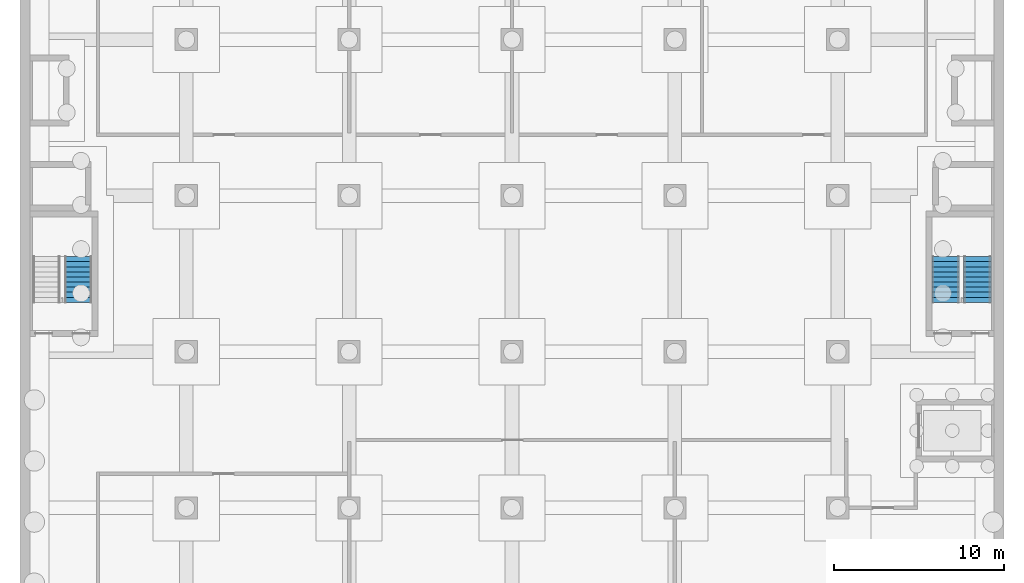
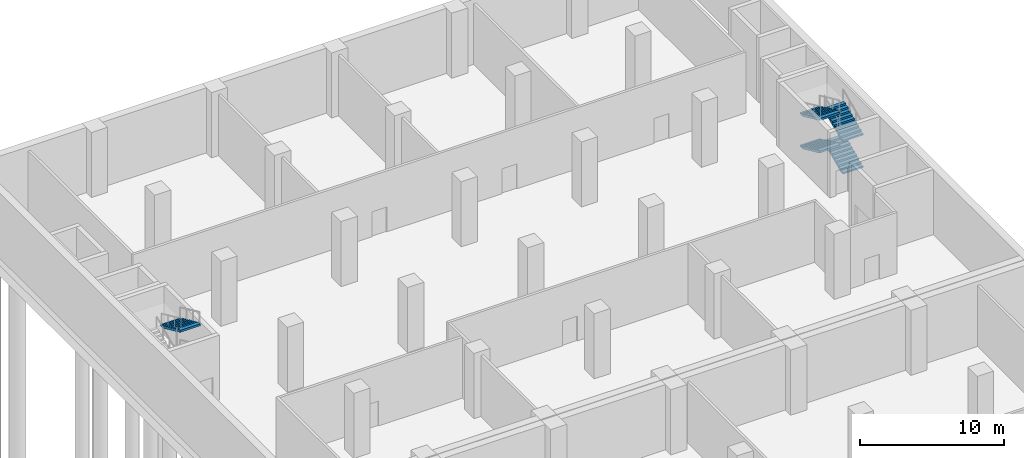
# One storey, part 15 of 33: 5 stair flights, 2 elements without a shape of their own.
"""IFC4 building model written with IfcOpenShell, lengths in metres."""

from ifc_helpers import new_model, si_unit, direction, frame, origin, place, context, subcontext, project, spatial, polyline, outline, extrude, material, type_object, element, aggregate, save


model = new_model("IFC4")

# Units and contexts
model_context = context("Model", 3, precision=1e-05, world=origin(), true_north=direction((0.0, 1.0)))
body_context = subcontext(model_context, "Body", "Model", "MODEL_VIEW")
ifc_project = project(units=[si_unit("LENGTHUNIT", "METRE"), si_unit("AREAUNIT", "SQUARE_METRE"), si_unit("VOLUMEUNIT", "CUBIC_METRE"), si_unit("PLANEANGLEUNIT", "RADIAN"), si_unit("MASSUNIT", "GRAM", prefix="KILO")], contexts=[model_context])

# Site, building, storey
site_placement = place(None, origin())
site = spatial("IfcSite", under=ifc_project, at=site_placement, CompositionType="ELEMENT")
building_placement = place(site_placement, origin())
building = spatial("IfcBuilding", under=site, at=building_placement, Name="Nzadi Deep Aquarium and Research Tower", CompositionType="ELEMENT")
storey_placement = place(building_placement, frame((0.0, 0.0, -5.5)))
storey = spatial("IfcBuildingStorey", under=building, at=storey_placement, Name="B1", CompositionType="ELEMENT", Elevation=-5.5)

# Stair, stair flight
ifc_material_1 = material(Name="Concrete C35/45", Category="concrete")
stair_type = type_object("IfcStairType", Name="STAIR RETURN 3000", PredefinedType="NOTDEFINED", material=ifc_material_1)
stair_1_placement = place(storey_placement, origin())
stair_1 = element("IfcStair", 1, at=stair_1_placement, inside=storey, type_object=stair_type, Name="Stair ST-Z3-W B1", PredefinedType="DOUBLE_RETURN_STAIR")
ifc_material_2 = material(Name="Concrete C35/45", Category="concrete")
stair_flight_type = type_object("IfcStairFlightType", Name="FLIGHT 1625 10 RISERS 137.5", PredefinedType="STRAIGHT", material=ifc_material_2)
stair_flight_1_placement = place(storey_placement, frame((3.237548828125, 118.81005859375, 4.125), z_axis=(0.0, 0.0, 1.0), x_axis=(0.0, -1.0, 0.0)))
stair_flight_1 = element("IfcStairFlight", 2, at=stair_flight_1_placement, type_object=stair_flight_type, Name="ST-Z3-W flight 4", NumberOfRisers=10, NumberOfTreads=9, PredefinedType="STRAIGHT", RiserHeight=0.1375, TreadLength=0.3, context=body_context, shape_type="SweptSolid", body=[
    extrude(outline(polyline([(0.0, 0.0), (0.0, 0.137451171875), (0.300048828125, 0.137451171875), (0.300048828125, 0.27490234375), (0.60009765625, 0.27490234375), (0.60009765625, 0.41259765625), (0.89990234375, 0.41259765625), (0.89990234375, 0.550048828125), (1.199951171875, 0.550048828125), (1.199951171875, 0.6875), (1.5, 0.6875), (1.5, 0.824951171875), (1.800048828125, 0.824951171875), (1.800048828125, 0.96240234375), (2.10009765625, 0.96240234375), (2.10009765625, 1.10009765625), (2.39990234375, 1.10009765625), (2.39990234375, 1.237548828125), (2.699951171875, 1.237548828125), (2.699951171875, 1.375), (2.699951171875, 1.072509765625), (0.35986328125, 0.0), (0.0, 0.0)])), frame((0.0, 0.8125, 0.0), z_axis=(0.0, -1.0, 0.0), x_axis=(1.0, 0.0, 0.0)), (0.0, 0.0, 1.0), 1.625),
])
aggregate(stair_1, [stair_flight_1])

# Stair, stair flights
stair_2_placement = place(storey_placement, origin())
stair_2 = element("IfcStair", 3, at=stair_2_placement, inside=storey, type_object=stair_type, Name="Stair ST-Z3-E B1", PredefinedType="DOUBLE_RETURN_STAIR")
stair_flight_2_placement = place(storey_placement, frame((56.237548828125, 116.110107421875, 0.0), z_axis=(0.0, 0.0, 1.0), x_axis=(0.0, 1.0, 0.0)))
stair_flight_2 = element("IfcStairFlight", 4, at=stair_flight_2_placement, type_object=stair_flight_type, Name="ST-Z3-E flight 1", NumberOfRisers=10, NumberOfTreads=9, PredefinedType="STRAIGHT", RiserHeight=0.1375, TreadLength=0.3, context=body_context, shape_type="SweptSolid", body=[
    extrude(outline(polyline([(0.0, 0.0), (0.0, 0.137451171875), (0.300048828125, 0.137451171875), (0.300048828125, 0.27490234375), (0.60009765625, 0.27490234375), (0.60009765625, 0.41259765625), (0.89990234375, 0.41259765625), (0.89990234375, 0.550048828125), (1.199951171875, 0.550048828125), (1.199951171875, 0.6875), (1.5, 0.6875), (1.5, 0.824951171875), (1.800048828125, 0.824951171875), (1.800048828125, 0.96240234375), (2.10009765625, 0.96240234375), (2.10009765625, 1.10009765625), (2.39990234375, 1.10009765625), (2.39990234375, 1.237548828125), (2.699951171875, 1.237548828125), (2.699951171875, 1.375), (2.699951171875, 1.072509765625), (0.35986328125, 0.0), (0.0, 0.0)])), frame((0.0, 0.8125, 0.0), z_axis=(0.0, -1.0, 0.0), x_axis=(1.0, 0.0, 0.0)), (0.0, 0.0, 1.0), 1.625),
])
stair_flight_3_placement = place(storey_placement, frame((54.362548828125, 118.81005859375, 1.375), z_axis=(0.0, 0.0, 1.0), x_axis=(0.0, -1.0, 0.0)))
stair_flight_3 = element("IfcStairFlight", 5, at=stair_flight_3_placement, type_object=stair_flight_type, Name="ST-Z3-E flight 2", NumberOfRisers=10, NumberOfTreads=9, PredefinedType="STRAIGHT", RiserHeight=0.1375, TreadLength=0.3, context=body_context, shape_type="SweptSolid", body=[
    extrude(outline(polyline([(0.0, 0.0), (0.0, 0.137451171875), (0.300048828125, 0.137451171875), (0.300048828125, 0.27490234375), (0.60009765625, 0.27490234375), (0.60009765625, 0.41259765625), (0.89990234375, 0.41259765625), (0.89990234375, 0.550048828125), (1.199951171875, 0.550048828125), (1.199951171875, 0.6875), (1.5, 0.6875), (1.5, 0.824951171875), (1.800048828125, 0.824951171875), (1.800048828125, 0.96240234375), (2.10009765625, 0.96240234375), (2.10009765625, 1.10009765625), (2.39990234375, 1.10009765625), (2.39990234375, 1.237548828125), (2.699951171875, 1.237548828125), (2.699951171875, 1.375), (2.699951171875, 1.072509765625), (0.35986328125, 0.0), (0.0, 0.0)])), frame((0.0, 0.8125, 0.0), z_axis=(0.0, -1.0, 0.0), x_axis=(1.0, 0.0, 0.0)), (0.0, 0.0, 1.0), 1.625),
])
stair_flight_4_placement = place(storey_placement, frame((56.237548828125, 116.110107421875, 2.75), z_axis=(0.0, 0.0, 1.0), x_axis=(0.0, 1.0, 0.0)))
stair_flight_4 = element("IfcStairFlight", 6, at=stair_flight_4_placement, type_object=stair_flight_type, Name="ST-Z3-E flight 3", NumberOfRisers=10, NumberOfTreads=9, PredefinedType="STRAIGHT", RiserHeight=0.1375, TreadLength=0.3, context=body_context, shape_type="SweptSolid", body=[
    extrude(outline(polyline([(0.0, 0.0), (0.0, 0.137451171875), (0.300048828125, 0.137451171875), (0.300048828125, 0.27490234375), (0.60009765625, 0.27490234375), (0.60009765625, 0.41259765625), (0.89990234375, 0.41259765625), (0.89990234375, 0.550048828125), (1.199951171875, 0.550048828125), (1.199951171875, 0.6875), (1.5, 0.6875), (1.5, 0.824951171875), (1.800048828125, 0.824951171875), (1.800048828125, 0.96240234375), (2.10009765625, 0.96240234375), (2.10009765625, 1.10009765625), (2.39990234375, 1.10009765625), (2.39990234375, 1.237548828125), (2.699951171875, 1.237548828125), (2.699951171875, 1.375), (2.699951171875, 1.072509765625), (0.35986328125, 0.0), (0.0, 0.0)])), frame((0.0, 0.8125, 0.0), z_axis=(0.0, -1.0, 0.0), x_axis=(1.0, 0.0, 0.0)), (0.0, 0.0, 1.0), 1.625),
])
stair_flight_5_placement = place(storey_placement, frame((54.362548828125, 118.81005859375, 4.125), z_axis=(0.0, 0.0, 1.0), x_axis=(0.0, -1.0, 0.0)))
stair_flight_5 = element("IfcStairFlight", 7, at=stair_flight_5_placement, type_object=stair_flight_type, Name="ST-Z3-E flight 4", NumberOfRisers=10, NumberOfTreads=9, PredefinedType="STRAIGHT", RiserHeight=0.1375, TreadLength=0.3, context=body_context, shape_type="SweptSolid", body=[
    extrude(outline(polyline([(0.0, 0.0), (0.0, 0.137451171875), (0.300048828125, 0.137451171875), (0.300048828125, 0.27490234375), (0.60009765625, 0.27490234375), (0.60009765625, 0.41259765625), (0.89990234375, 0.41259765625), (0.89990234375, 0.550048828125), (1.199951171875, 0.550048828125), (1.199951171875, 0.6875), (1.5, 0.6875), (1.5, 0.824951171875), (1.800048828125, 0.824951171875), (1.800048828125, 0.96240234375), (2.10009765625, 0.96240234375), (2.10009765625, 1.10009765625), (2.39990234375, 1.10009765625), (2.39990234375, 1.237548828125), (2.699951171875, 1.237548828125), (2.699951171875, 1.375), (2.699951171875, 1.072509765625), (0.35986328125, 0.0), (0.0, 0.0)])), frame((0.0, 0.8125, 0.0), z_axis=(0.0, -1.0, 0.0), x_axis=(1.0, 0.0, 0.0)), (0.0, 0.0, 1.0), 1.625),
])
aggregate(stair_2, [stair_flight_2, stair_flight_3, stair_flight_4, stair_flight_5])

save(model, "model.ifc")
